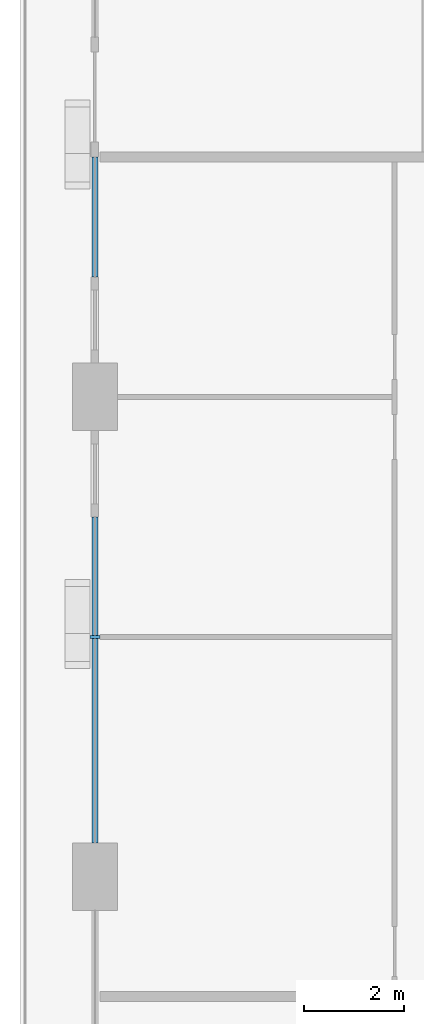
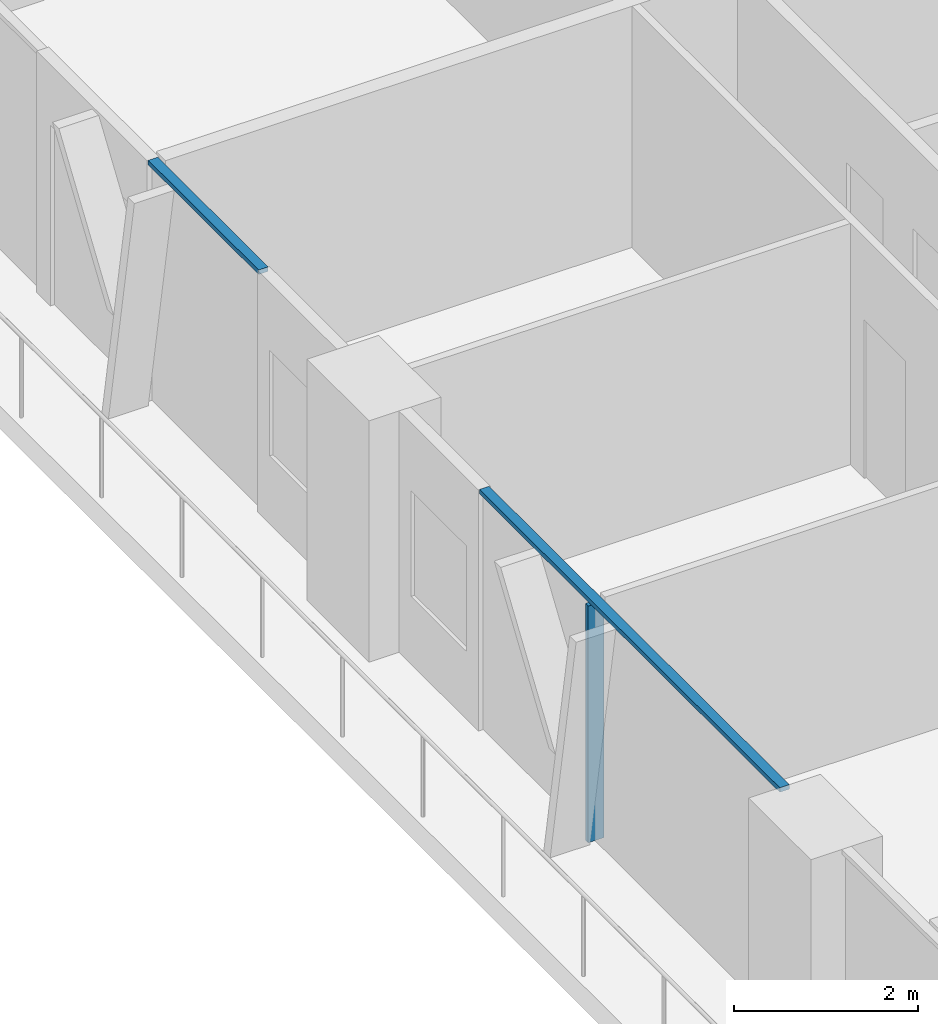
# One storey, part 3 of 21: 3 members, 2 elements without a shape of their own.
"""IFC4 building model written with IfcOpenShell, lengths in metres."""

from ifc_helpers import new_model, si_unit, direction, frame, origin, origin_2d, place, context, subcontext, project, spatial, rectangle, extrude, material, layer, layer_set, material_profile, profile_set, type_object, element, aggregate, save


model = new_model("IFC4")

# Units and contexts
model_context = context("Model", 3, precision=1e-05, world=origin(), true_north=direction((0.0, 1.0)))
body_context = subcontext(model_context, "Body", "Model", "MODEL_VIEW")
ifc_project = project(units=[si_unit("LENGTHUNIT", "METRE"), si_unit("AREAUNIT", "SQUARE_METRE"), si_unit("VOLUMEUNIT", "CUBIC_METRE"), si_unit("PLANEANGLEUNIT", "RADIAN"), si_unit("MASSUNIT", "GRAM", prefix="KILO")], contexts=[model_context])

# Site, building, storey
site_placement = place(None, origin())
site = spatial("IfcSite", under=ifc_project, at=site_placement, CompositionType="ELEMENT")
building_placement = place(site_placement, origin())
building = spatial("IfcBuilding", under=site, at=building_placement, Name="Madar Terraces", CompositionType="ELEMENT")
storey_placement = place(building_placement, frame((0.0, 0.0, 36.39990234375)))
storey = spatial("IfcBuildingStorey", under=building, at=storey_placement, Name="L08", CompositionType="ELEMENT", Elevation=36.39990234375)

# Curtain wall, member
ifc_material_1 = material(Name="Glass, ceramic frit dark grey, with black aluminium frame", Category="aluminium")
ifc_layer = layer(ifc_material_1, 0.199951171875)
ifc_layer_set = layer_set([ifc_layer], Name="Facade curtain wall, fritted glass")
curtain_wall_type = type_object("IfcCurtainWallType", Name="Facade curtain wall, fritted glass", PredefinedType="NOTDEFINED", material=ifc_layer_set)
curtain_wall_1_placement = place(storey_placement, origin())
curtain_wall_1 = element("IfcCurtainWall", 1, at=curtain_wall_1_placement, inside=storey, type_object=curtain_wall_type, Name="Outer skin curtain wall west bay 3", PredefinedType="NOTDEFINED")
ifc_material_2 = material(Name="Aluminium, black anodised", Category="aluminium")
ifc_material_profile_1 = material_profile(ifc_material_2, rectangle(XDim=0.199951171875, YDim=0.06005859375, at=origin_2d()), Name="Facade mullion 60x200")
ifc_profile_set_1 = profile_set([ifc_material_profile_1], Name="Aluminium, black anodised")
member_type_1 = type_object("IfcMemberType", Name="Facade mullion 60x200", PredefinedType="MULLION", material=ifc_profile_set_1)
member_1_placement = place(storey_placement, frame((0.0, 19.199951171875, 0.0), z_axis=(0.0, 0.0, 1.0), x_axis=(1.0, 0.0, 0.0)))
member_1 = element("IfcMember", 2, at=member_1_placement, type_object=member_type_1, Name="Mullion 1", PredefinedType="MULLION", context=body_context, shape_type="SweptSolid", body=[
    extrude(rectangle(XDim=0.199951171875, YDim=0.06005859375, at=origin_2d()), origin(), (0.0, 0.0, 1.0), 3.14013671875),
])

curtain_wall_2_placement = place(storey_placement, origin())
curtain_wall_2 = element("IfcCurtainWall", 3, at=curtain_wall_2_placement, inside=storey, type_object=curtain_wall_type, Name="Outer skin curtain wall west bay 2", PredefinedType="NOTDEFINED")
ifc_material_3 = material(Name="Aluminium, black anodised", Category="aluminium")
ifc_material_profile_2 = material_profile(ifc_material_3, rectangle(XDim=0.1201171875, YDim=0.06005859375, at=origin_2d()), Name="Facade transom 60x120")
ifc_profile_set_2 = profile_set([ifc_material_profile_2], Name="Aluminium, black anodised")
member_type_2 = type_object("IfcMemberType", Name="Facade transom 60x120", PredefinedType="USERDEFINED", material=ifc_profile_set_2)
member_2_placement = place(storey_placement, frame((0.0, 28.800048828125, 3.170166015625), z_axis=(0.0, -1.0, 0.0), x_axis=(1.0, 0.0, 0.0)))
member_2 = element("IfcMember", 4, at=member_2_placement, type_object=member_type_2, Name="Transom 2", ObjectType="TRANSOM", PredefinedType="USERDEFINED", context=body_context, shape_type="SweptSolid", body=[
    extrude(rectangle(XDim=0.1201171875, YDim=0.06005859375, at=origin_2d()), origin(), (0.0, 0.0, 1.0), 2.400146484375),
])
aggregate(curtain_wall_2, [member_2])

# Member
member_3_placement = place(storey_placement, frame((0.0, 21.60009765625, 3.170166015625), z_axis=(0.0, -1.0, 0.0), x_axis=(1.0, 0.0, 0.0)))
member_3 = element("IfcMember", 5, at=member_3_placement, type_object=member_type_2, Name="Transom 1", ObjectType="TRANSOM", PredefinedType="USERDEFINED", context=body_context, shape_type="SweptSolid", body=[
    extrude(rectangle(XDim=0.1201171875, YDim=0.06005859375, at=origin_2d()), origin(), (0.0, 0.0, 1.0), 6.525146484375),
])

aggregate(curtain_wall_1, [member_1, member_3])

save(model, "model.ifc")
